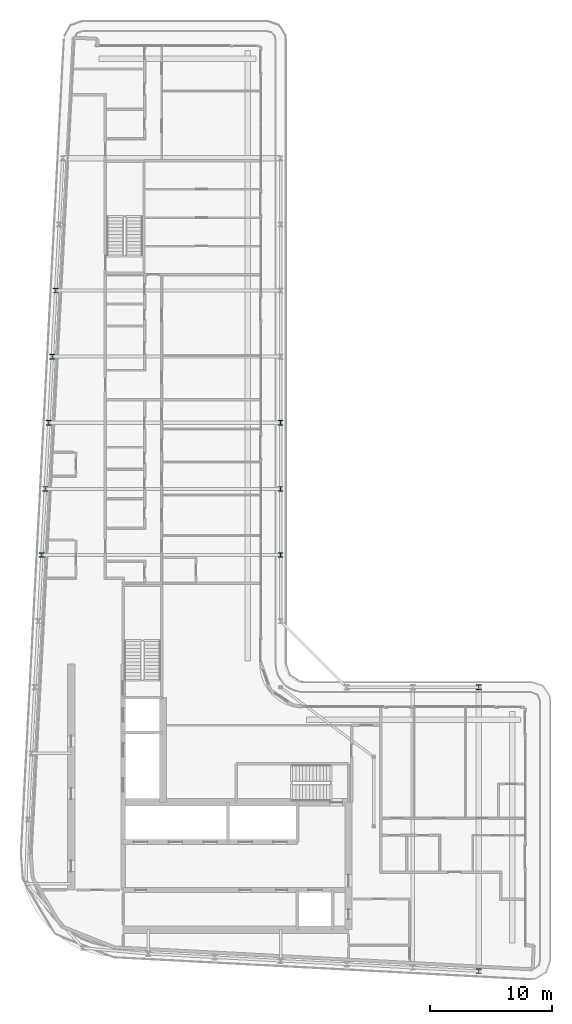
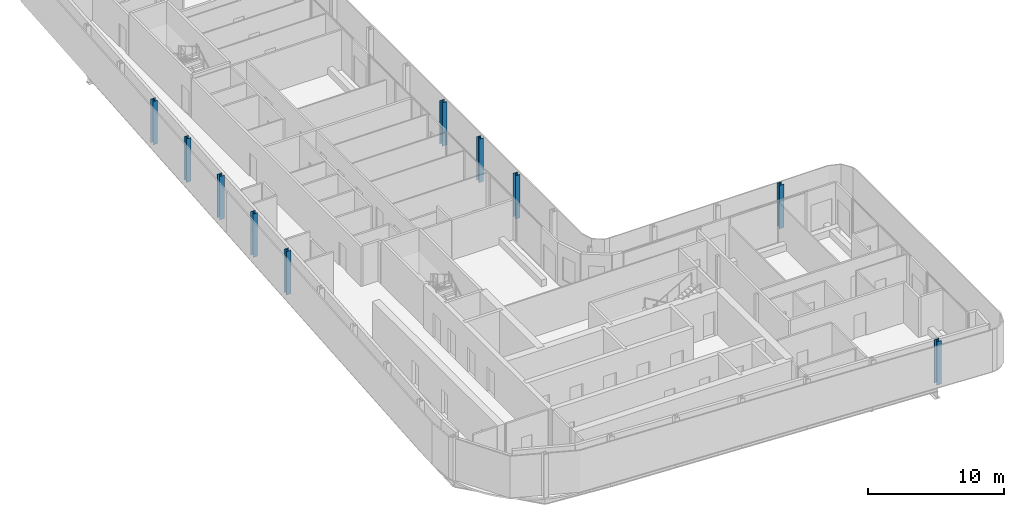
# One storey, part 3 of 21: 10 columns.
"""IFC4 building model written with IfcOpenShell, lengths in metres."""

from ifc_helpers import new_model, si_unit, direction, frame, origin, origin_2d, place, context, subcontext, project, spatial, i_section, extrude, material, material_profile, profile_set, type_object, element, save


model = new_model("IFC4")

# Units and contexts
model_context = context("Model", 3, precision=1e-05, world=origin(), true_north=direction((0.0, 1.0)))
body_context = subcontext(model_context, "Body", "Model", "MODEL_VIEW")
ifc_project = project(units=[si_unit("LENGTHUNIT", "METRE"), si_unit("AREAUNIT", "SQUARE_METRE"), si_unit("VOLUMEUNIT", "CUBIC_METRE"), si_unit("PLANEANGLEUNIT", "RADIAN"), si_unit("MASSUNIT", "GRAM", prefix="KILO")], contexts=[model_context])

# Site, building, storey
site_placement = place(None, origin())
site = spatial("IfcSite", under=ifc_project, at=site_placement, CompositionType="ELEMENT")
building_placement = place(site_placement, origin())
building = spatial("IfcBuilding", under=site, at=building_placement, Name="Kheshtan School and Residences Tower", CompositionType="ELEMENT")
storey_placement = place(building_placement, frame((0.0, 0.0, 313.699951171875)))
storey = spatial("IfcBuildingStorey", under=building, at=storey_placement, Name="L74", CompositionType="ELEMENT", Elevation=313.699951171875)

# Columns
ifc_material = material(Name="Steel ASTM A992 Grade 50", Category="steel")
ifc_material_profile = material_profile(ifc_material, i_section(OverallWidth=0.39501953125, OverallDepth=0.3798828125, WebThickness=0.018798828125, FlangeThickness=0.0302734375, FilletRadius=0.011474609375, at=origin_2d()), Name="W360x237")
ifc_profile_set = profile_set([ifc_material_profile], Name="Steel ASTM A992 Grade 50")
column_type = type_object("IfcColumnType", Name="Column C5 W360x237 ASTM A992 Grade 50", PredefinedType="COLUMN", material=ifc_profile_set)
for number, where, z_axis, x_axis, name in (
    (1, (63.800048828125, 22.410888671875, 0.0), (0.0, 0.0, 1.0), (1.0, 0.0, 0.0), "Column C016"),
    (2, (63.800048828125, 45.60009765625, 0.0), (0.0, 0.0, 1.0), (1.0, 0.0, 0.0), "Column C063"),
    (3, (28.10595703125, 56.39990234375, 0.0), (0.0, 0.0, 1.0), (1.0, 0.0, 0.0), "Column C080"),
    (4, (47.60009765625, 56.39990234375, 0.0), (0.0, 0.0, 1.0), (1.0, 0.0, 0.0), "Column C081"),
    (5, (28.389892578125, 61.800048828125, 0.0), (0.0, 0.0, 1.0), (1.0, 0.0, 0.0), "Column C082"),
    (6, (47.60009765625, 61.800048828125, 0.0), (0.0, 0.0, 1.0), (1.0, 0.0, 0.0), "Column C083"),
    (7, (28.674072265625, 67.199951171875, 0.0), (0.0, 0.0, 1.0), (1.0, 0.0, 0.0), "Column C084"),
    (8, (47.60009765625, 67.199951171875, 0.0), (0.0, 0.0, 1.0), (1.0, 0.0, 0.0), "Column C085"),
    (9, (28.9580078125, 72.60009765625, 0.0), (0.0, 0.0, 1.0), (1.0, 0.0, 0.0), "Column C086"),
    (10, (29.242919921875, 78.0, 0.0), (0.0, 0.0, 1.0), (1.0, 0.0, 0.0), "Column C088"),
):
    element("IfcColumn", number, at=place(storey_placement, frame(where, z_axis=z_axis, x_axis=x_axis)), inside=storey, type_object=column_type, Name=name, PredefinedType="COLUMN", context=body_context, shape_type="SweptSolid", body=[
        extrude(i_section(OverallWidth=0.39501953125, OverallDepth=0.3798828125, WebThickness=0.018798828125, FlangeThickness=0.0302734375, FilletRadius=0.011474609375, at=origin_2d()), origin(), (0.0, 0.0, 1.0), 3.900146484375),
    ])

save(model, "model.ifc")
